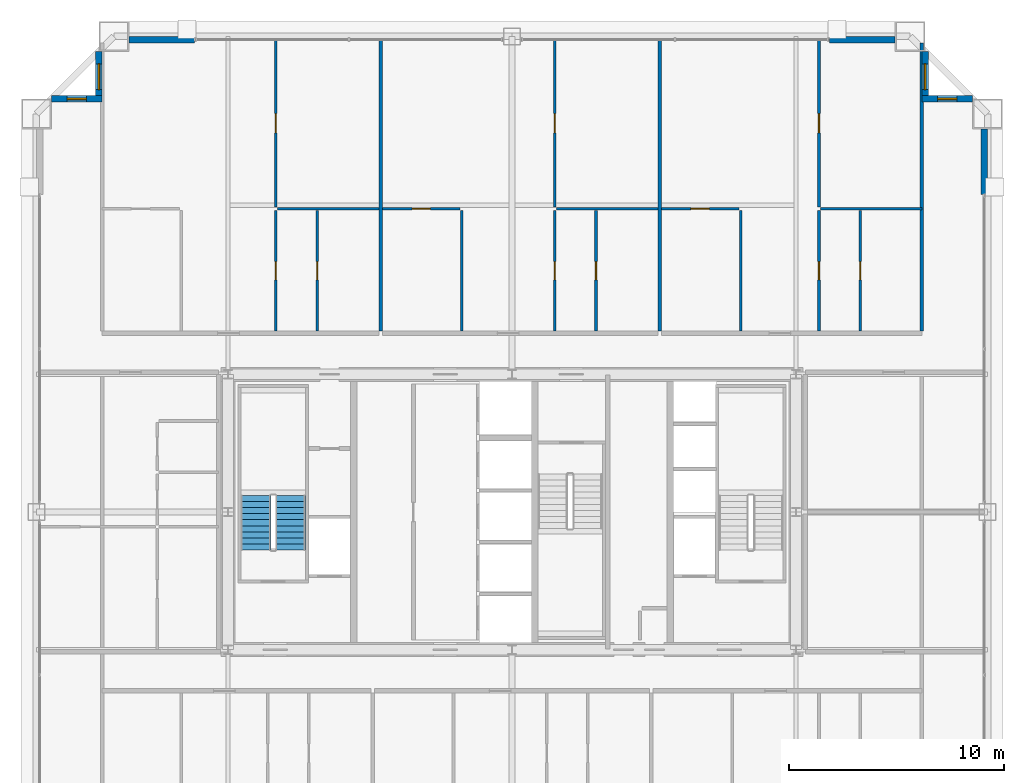
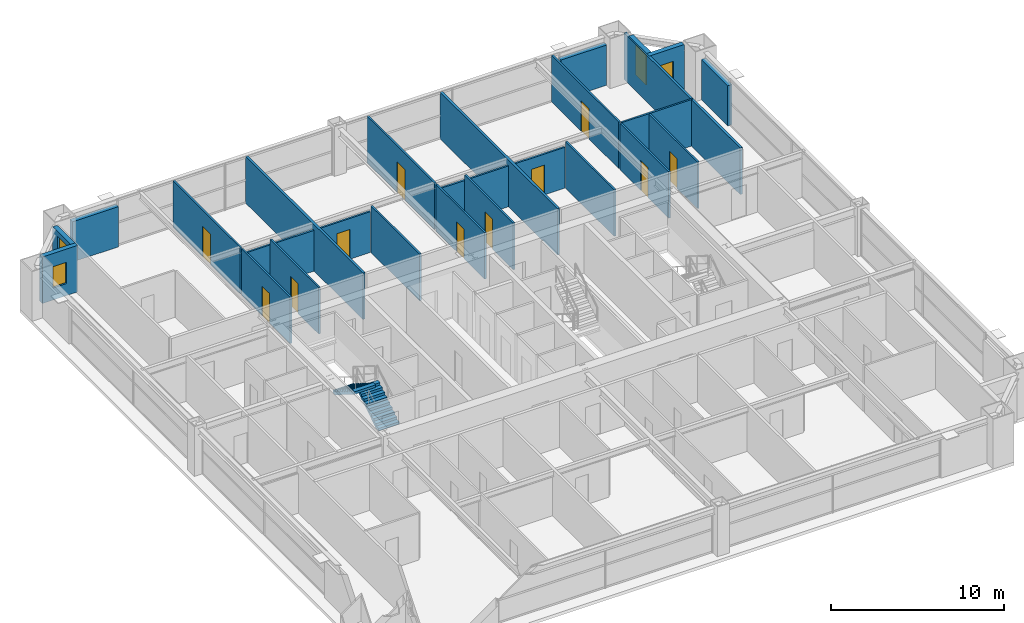
# One storey, part 36 of 38: 26 walls, 11 doors, 4 windows, 2 stair flights, 15 openings, 1 element without a shape of its own.
"""IFC4 building model written with IfcOpenShell, lengths in metres."""

from ifc_helpers import new_model, si_unit, direction, frame, frame_2d, origin, place, context, subcontext, project, spatial, polyline, rectangle, outline, extrude, source, transform, mapped, material, layer, layer_set, type_object, element, fill, aggregate, save


model = new_model("IFC4")

# Units and contexts
model_context = context("Model", 3, precision=1e-05, world=origin(), true_north=direction((0.0, 1.0)))
body_context = subcontext(model_context, "Body", "Model", "MODEL_VIEW")
ifc_project = project(units=[si_unit("LENGTHUNIT", "METRE"), si_unit("AREAUNIT", "SQUARE_METRE"), si_unit("VOLUMEUNIT", "CUBIC_METRE"), si_unit("PLANEANGLEUNIT", "RADIAN"), si_unit("MASSUNIT", "GRAM", prefix="KILO"), si_unit("THERMODYNAMICTEMPERATUREUNIT", "KELVIN"), si_unit("POWERUNIT", "WATT")], contexts=[model_context])

# Site, building, storey
site_placement = place(None, origin())
site = spatial("IfcSite", under=ifc_project, at=site_placement, CompositionType="ELEMENT")
building_placement = place(site_placement, origin())
building = spatial("IfcBuilding", under=site, at=building_placement, Name="Yuzanri Waterfront Tower", CompositionType="ELEMENT")
storey_placement = place(building_placement, frame((0.0, 0.0, 209.0)))
storey = spatial("IfcBuildingStorey", under=building, at=storey_placement, Name="L55", CompositionType="ELEMENT", Elevation=209.0)

# Wall, opening, door
ifc_material_1 = material(Name="Moisture-Resistant Gypsum Stud Wall", Category="gypsum")
ifc_layer_1 = layer(ifc_material_1, 0.1201171875)
ifc_layer_set_1 = layer_set([ifc_layer_1], Name="Moisture-Resistant Gypsum Stud Wall")
wall_type_1 = type_object("IfcWallType", Name="Bathroom and Kitchen Wet Partition 120", PredefinedType="PARTITIONING", material=ifc_layer_set_1)
wall_1_placement = place(storey_placement, frame((27.94091796875, 34.2099609375, 0.0), z_axis=(0.0, 0.0, 1.0), x_axis=(0.0, 1.0, 0.0)))
wall_1 = element("IfcWall", 1, at=wall_1_placement, inside=storey, type_object=wall_type_1, Name="L55 Partition UW-L55-RN1-SUB-2-W", PredefinedType="PARTITIONING", context=body_context, shape_type="SweptSolid", body=[
    extrude(rectangle(XDim=5.610107421875, YDim=0.1201171875, at=frame_2d((2.80517578125, 0.0))), origin(), (0.0, 0.0, 1.0), 3.280029296875),
])
opening_1_placement = place(wall_1_placement, frame((2.3798828125, 0.0, 0.0)))
opening_1 = element("IfcOpeningElement", 2, at=opening_1_placement, cuts=wall_1, Name="Opening ID-0850", PredefinedType="OPENING", context=body_context, shape_type="SweptSolid", body=[
    extrude(rectangle(XDim=0.85009765625, YDim=2.10009765625, at=frame_2d((0.425048828125, 1.050048828125))), frame((0.0, 0.074951171875, 0.0), z_axis=(0.0, -1.0, 0.0), x_axis=(1.0, 0.0, 0.0)), (0.0, 0.0, 1.0), 0.14990234375),
])
ifc_material_2 = material(Name="Moisture-Resistant Lacquered Timber", Category="wood")
door_type_1 = type_object("IfcDoorType", Name="En-Suite Bathroom and Kitchen Swing Door 850x2100", OperationType="NOTDEFINED", PredefinedType="DOOR", material=ifc_material_2)
shared_shape_1 = source(origin(), body_context, "Body", "SweptSolid", [
    extrude(rectangle(XDim=0.85009765625, YDim=2.10009765625, at=frame_2d((0.425048828125, 1.050048828125))), frame((0.0, 0.02490234375, 0.0), z_axis=(0.0, -1.0, 0.0), x_axis=(1.0, 0.0, 0.0)), (0.0, 0.0, 1.0), 0.050048828125),
])
door_1_placement = place(opening_1_placement, origin())
door_1 = element("IfcDoor", 3, at=door_1_placement, inside=storey, type_object=door_type_1, Name="L55 Suite Interior Room Door", OperationType="SINGLE_SWING_LEFT", OverallHeight=2.10009765625, OverallWidth=0.85009765625, PredefinedType="DOOR", context=body_context, shape_type="MappedRepresentation", body=[
    mapped(shared_shape_1, transform((0.0, 0.0, 0.0), scale=1.0)),
])
fill(opening_1, door_1)

wall_2_placement = place(storey_placement, frame((26.029052734375, 39.97998046875, 0.0), z_axis=(0.0, 0.0, 1.0), x_axis=(0.0, 1.0, 0.0)))
wall_2 = element("IfcWall", 4, at=wall_2_placement, inside=storey, type_object=wall_type_1, Name="L55 Partition UW-L55-RN1-SUB-3-W", PredefinedType="PARTITIONING", context=body_context, shape_type="SweptSolid", body=[
    extrude(rectangle(XDim=7.77001953125, YDim=0.1201171875, at=frame_2d((3.885009765625, 0.0))), origin(), (0.0, 0.0, 1.0), 3.280029296875),
])
opening_2_placement = place(wall_2_placement, frame((3.43505859375, 0.0, 0.0)))
opening_2 = element("IfcOpeningElement", 5, at=opening_2_placement, cuts=wall_2, Name="Opening ID-0900", PredefinedType="OPENING", context=body_context, shape_type="SweptSolid", body=[
    extrude(rectangle(XDim=0.89990234375, YDim=2.14990234375, at=frame_2d((0.449951171875, 1.074951171875))), frame((0.0, 0.074951171875, 0.0), z_axis=(0.0, -1.0, 0.0), x_axis=(1.0, 0.0, 0.0)), (0.0, 0.0, 1.0), 0.14990234375),
])
ifc_material_3 = material(Name="Stained Walnut Veneer Timber", Category="wood")
door_type_2 = type_object("IfcDoorType", Name="Bedroom and Study Interior Swing Door 900x2150", OperationType="NOTDEFINED", PredefinedType="DOOR", material=ifc_material_3)
shared_shape_2 = source(origin(), body_context, "Body", "SweptSolid", [
    extrude(rectangle(XDim=0.89990234375, YDim=2.14990234375, at=frame_2d((0.449951171875, 1.074951171875))), frame((0.0, 0.02490234375, 0.0), z_axis=(0.0, -1.0, 0.0), x_axis=(1.0, 0.0, 0.0)), (0.0, 0.0, 1.0), 0.050048828125),
])
door_2_placement = place(opening_2_placement, origin())
door_2 = element("IfcDoor", 6, at=door_2_placement, inside=storey, type_object=door_type_2, Name="L55 Suite Interior Room Door", OperationType="SINGLE_SWING_RIGHT", OverallHeight=2.14990234375, OverallWidth=0.89990234375, PredefinedType="DOOR", context=body_context, shape_type="MappedRepresentation", body=[
    mapped(shared_shape_2, transform((0.0, 0.0, 0.0), scale=1.0)),
])
fill(opening_2, door_2)

wall_3_placement = place(storey_placement, frame((26.029052734375, 34.2099609375, 0.0), z_axis=(0.0, 0.0, 1.0), x_axis=(0.0, 1.0, 0.0)))
wall_3 = element("IfcWall", 7, at=wall_3_placement, inside=storey, type_object=wall_type_1, Name="L55 Partition UW-L55-RN1-SUB-4-W", PredefinedType="PARTITIONING", context=body_context, shape_type="SweptSolid", body=[
    extrude(rectangle(XDim=5.610107421875, YDim=0.1201171875, at=frame_2d((2.80517578125, 0.0))), origin(), (0.0, 0.0, 1.0), 3.280029296875),
])
opening_3_placement = place(wall_3_placement, frame((2.3798828125, 0.0, 0.0)))
opening_3 = element("IfcOpeningElement", 8, at=opening_3_placement, cuts=wall_3, Name="Opening ID-0850", PredefinedType="OPENING", context=body_context, shape_type="SweptSolid", body=[
    extrude(rectangle(XDim=0.85009765625, YDim=2.10009765625, at=frame_2d((0.425048828125, 1.050048828125))), frame((0.0, 0.074951171875, 0.0), z_axis=(0.0, -1.0, 0.0), x_axis=(1.0, 0.0, 0.0)), (0.0, 0.0, 1.0), 0.14990234375),
])
door_3_placement = place(opening_3_placement, origin())
door_3 = element("IfcDoor", 9, at=door_3_placement, inside=storey, type_object=door_type_1, Name="L55 Suite Interior Room Door", OperationType="SINGLE_SWING_LEFT", OverallHeight=2.10009765625, OverallWidth=0.85009765625, PredefinedType="DOOR", context=body_context, shape_type="MappedRepresentation", body=[
    mapped(shared_shape_1, transform((0.0, 0.0, 0.0), scale=1.0)),
])
fill(opening_3, door_3)

wall_4_placement = place(storey_placement, frame((30.98095703125, 39.89990234375, 0.0), z_axis=(0.0, 0.0, 1.0), x_axis=(1.0, 0.0, 0.0)))
wall_4 = element("IfcWall", 10, at=wall_4_placement, inside=storey, type_object=wall_type_1, Name="L55 Partition UW-L55-RN2-SUB-1-N", PredefinedType="PARTITIONING", context=body_context, shape_type="SweptSolid", body=[
    extrude(rectangle(XDim=3.60009765625, YDim=0.1201171875, at=frame_2d((1.800048828125, 0.0))), origin(), (0.0, 0.0, 1.0), 2.875),
])
opening_4_placement = place(wall_4_placement, frame((1.375, 0.0, 0.0)))
opening_4 = element("IfcOpeningElement", 11, at=opening_4_placement, cuts=wall_4, Name="Opening ID-0850", PredefinedType="OPENING", context=body_context, shape_type="SweptSolid", body=[
    extrude(rectangle(XDim=0.85009765625, YDim=2.10009765625, at=frame_2d((0.425048828125, 1.050048828125))), frame((0.0, 0.074951171875, 0.0), z_axis=(0.0, -1.0, 0.0), x_axis=(1.0, 0.0, 0.0)), (0.0, 0.0, 1.0), 0.14990234375),
])
door_4_placement = place(opening_4_placement, origin())
door_4 = element("IfcDoor", 12, at=door_4_placement, inside=storey, type_object=door_type_1, Name="L55 Suite Interior Room Door", OperationType="SINGLE_SWING_LEFT", OverallHeight=2.10009765625, OverallWidth=0.85009765625, PredefinedType="DOOR", context=body_context, shape_type="MappedRepresentation", body=[
    mapped(shared_shape_1, transform((0.0, 0.0, 0.0), scale=1.0)),
])
fill(opening_4, door_4)

wall_5_placement = place(storey_placement, frame((40.902099609375, 34.2099609375, 0.0), z_axis=(0.0, 0.0, 1.0), x_axis=(0.0, 1.0, 0.0)))
wall_5 = element("IfcWall", 13, at=wall_5_placement, inside=storey, type_object=wall_type_1, Name="L55 Partition UW-L55-RN2-SUB-2-W", PredefinedType="PARTITIONING", context=body_context, shape_type="SweptSolid", body=[
    extrude(rectangle(XDim=5.610107421875, YDim=0.1201171875, at=frame_2d((2.80517578125, 0.0))), origin(), (0.0, 0.0, 1.0), 3.280029296875),
])
opening_5_placement = place(wall_5_placement, frame((2.3798828125, 0.0, 0.0)))
opening_5 = element("IfcOpeningElement", 14, at=opening_5_placement, cuts=wall_5, Name="Opening ID-0850", PredefinedType="OPENING", context=body_context, shape_type="SweptSolid", body=[
    extrude(rectangle(XDim=0.85009765625, YDim=2.10009765625, at=frame_2d((0.425048828125, 1.050048828125))), frame((0.0, 0.074951171875, 0.0), z_axis=(0.0, -1.0, 0.0), x_axis=(1.0, 0.0, 0.0)), (0.0, 0.0, 1.0), 0.14990234375),
])
door_5_placement = place(opening_5_placement, origin())
door_5 = element("IfcDoor", 15, at=door_5_placement, inside=storey, type_object=door_type_1, Name="L55 Suite Interior Room Door", OperationType="SINGLE_SWING_RIGHT", OverallHeight=2.10009765625, OverallWidth=0.85009765625, PredefinedType="DOOR", context=body_context, shape_type="MappedRepresentation", body=[
    mapped(shared_shape_1, transform((0.0, 0.0, 0.0), scale=1.0)),
])
fill(opening_5, door_5)

wall_6_placement = place(storey_placement, frame((38.989990234375, 39.97998046875, 0.0), z_axis=(0.0, 0.0, 1.0), x_axis=(0.0, 1.0, 0.0)))
wall_6 = element("IfcWall", 16, at=wall_6_placement, inside=storey, type_object=wall_type_1, Name="L55 Partition UW-L55-RN2-SUB-3-W", PredefinedType="PARTITIONING", context=body_context, shape_type="SweptSolid", body=[
    extrude(rectangle(XDim=7.77001953125, YDim=0.1201171875, at=frame_2d((3.885009765625, 0.0))), origin(), (0.0, 0.0, 1.0), 3.280029296875),
])
opening_6_placement = place(wall_6_placement, frame((3.43505859375, 0.0, 0.0)))
opening_6 = element("IfcOpeningElement", 17, at=opening_6_placement, cuts=wall_6, Name="Opening ID-0900", PredefinedType="OPENING", context=body_context, shape_type="SweptSolid", body=[
    extrude(rectangle(XDim=0.89990234375, YDim=2.14990234375, at=frame_2d((0.449951171875, 1.074951171875))), frame((0.0, 0.074951171875, 0.0), z_axis=(0.0, -1.0, 0.0), x_axis=(1.0, 0.0, 0.0)), (0.0, 0.0, 1.0), 0.14990234375),
])
door_6_placement = place(opening_6_placement, origin())
door_6 = element("IfcDoor", 18, at=door_6_placement, inside=storey, type_object=door_type_2, Name="L55 Suite Interior Room Door", OperationType="SINGLE_SWING_LEFT", OverallHeight=2.14990234375, OverallWidth=0.89990234375, PredefinedType="DOOR", context=body_context, shape_type="MappedRepresentation", body=[
    mapped(shared_shape_2, transform((0.0, 0.0, 0.0), scale=1.0)),
])
fill(opening_6, door_6)

wall_7_placement = place(storey_placement, frame((38.989990234375, 34.2099609375, 0.0), z_axis=(0.0, 0.0, 1.0), x_axis=(0.0, 1.0, 0.0)))
wall_7 = element("IfcWall", 19, at=wall_7_placement, inside=storey, type_object=wall_type_1, Name="L55 Partition UW-L55-RN2-SUB-4-W", PredefinedType="PARTITIONING", context=body_context, shape_type="SweptSolid", body=[
    extrude(rectangle(XDim=5.610107421875, YDim=0.1201171875, at=frame_2d((2.80517578125, 0.0))), origin(), (0.0, 0.0, 1.0), 3.280029296875),
])
opening_7_placement = place(wall_7_placement, frame((2.3798828125, 0.0, 0.0)))
opening_7 = element("IfcOpeningElement", 20, at=opening_7_placement, cuts=wall_7, Name="Opening ID-0850", PredefinedType="OPENING", context=body_context, shape_type="SweptSolid", body=[
    extrude(rectangle(XDim=0.85009765625, YDim=2.10009765625, at=frame_2d((0.425048828125, 1.050048828125))), frame((0.0, 0.074951171875, 0.0), z_axis=(0.0, -1.0, 0.0), x_axis=(1.0, 0.0, 0.0)), (0.0, 0.0, 1.0), 0.14990234375),
])
door_7_placement = place(opening_7_placement, origin())
door_7 = element("IfcDoor", 21, at=door_7_placement, inside=storey, type_object=door_type_1, Name="L55 Suite Interior Room Door", OperationType="SINGLE_SWING_RIGHT", OverallHeight=2.10009765625, OverallWidth=0.85009765625, PredefinedType="DOOR", context=body_context, shape_type="MappedRepresentation", body=[
    mapped(shared_shape_1, transform((0.0, 0.0, 0.0), scale=1.0)),
])
fill(opening_7, door_7)

wall_8_placement = place(storey_placement, frame((43.94189453125, 39.89990234375, 0.0), z_axis=(0.0, 0.0, 1.0), x_axis=(1.0, 0.0, 0.0)))
wall_8 = element("IfcWall", 22, at=wall_8_placement, inside=storey, type_object=wall_type_1, Name="L55 Partition UW-L55-RN3-SUB-1-N", PredefinedType="PARTITIONING", context=body_context, shape_type="SweptSolid", body=[
    extrude(rectangle(XDim=3.60009765625, YDim=0.1201171875, at=frame_2d((1.800048828125, 0.0))), origin(), (0.0, 0.0, 1.0), 2.875),
])
opening_8_placement = place(wall_8_placement, frame((1.375, 0.0, 0.0)))
opening_8 = element("IfcOpeningElement", 23, at=opening_8_placement, cuts=wall_8, Name="Opening ID-0850", PredefinedType="OPENING", context=body_context, shape_type="SweptSolid", body=[
    extrude(rectangle(XDim=0.85009765625, YDim=2.10009765625, at=frame_2d((0.425048828125, 1.050048828125))), frame((0.0, 0.074951171875, 0.0), z_axis=(0.0, -1.0, 0.0), x_axis=(1.0, 0.0, 0.0)), (0.0, 0.0, 1.0), 0.14990234375),
])
door_8_placement = place(opening_8_placement, origin())
door_8 = element("IfcDoor", 24, at=door_8_placement, inside=storey, type_object=door_type_1, Name="L55 Suite Interior Room Door", OperationType="SINGLE_SWING_RIGHT", OverallHeight=2.10009765625, OverallWidth=0.85009765625, PredefinedType="DOOR", context=body_context, shape_type="MappedRepresentation", body=[
    mapped(shared_shape_1, transform((0.0, 0.0, 0.0), scale=1.0)),
])
fill(opening_8, door_8)

wall_9_placement = place(storey_placement, frame((53.179931640625, 34.2099609375, 0.0), z_axis=(0.0, 0.0, 1.0), x_axis=(0.0, 1.0, 0.0)))
wall_9 = element("IfcWall", 25, at=wall_9_placement, inside=storey, type_object=wall_type_1, Name="L55 Partition UW-L55-RN3-SUB-2-W", PredefinedType="PARTITIONING", context=body_context, shape_type="SweptSolid", body=[
    extrude(rectangle(XDim=5.610107421875, YDim=0.1201171875, at=frame_2d((2.80517578125, 0.0))), origin(), (0.0, 0.0, 1.0), 3.280029296875),
])
opening_9_placement = place(wall_9_placement, frame((2.3798828125, 0.0, 0.0)))
opening_9 = element("IfcOpeningElement", 26, at=opening_9_placement, cuts=wall_9, Name="Opening ID-0850", PredefinedType="OPENING", context=body_context, shape_type="SweptSolid", body=[
    extrude(rectangle(XDim=0.85009765625, YDim=2.10009765625, at=frame_2d((0.425048828125, 1.050048828125))), frame((0.0, 0.074951171875, 0.0), z_axis=(0.0, -1.0, 0.0), x_axis=(1.0, 0.0, 0.0)), (0.0, 0.0, 1.0), 0.14990234375),
])
door_9_placement = place(opening_9_placement, origin())
door_9 = element("IfcDoor", 27, at=door_9_placement, inside=storey, type_object=door_type_1, Name="L55 Suite Interior Room Door", OperationType="SINGLE_SWING_LEFT", OverallHeight=2.10009765625, OverallWidth=0.85009765625, PredefinedType="DOOR", context=body_context, shape_type="MappedRepresentation", body=[
    mapped(shared_shape_1, transform((0.0, 0.0, 0.0), scale=1.0)),
])
fill(opening_9, door_9)

wall_10_placement = place(storey_placement, frame((51.26806640625, 39.97998046875, 0.0), z_axis=(0.0, 0.0, 1.0), x_axis=(0.0, 1.0, 0.0)))
wall_10 = element("IfcWall", 28, at=wall_10_placement, inside=storey, type_object=wall_type_1, Name="L55 Partition UW-L55-RN3-SUB-3-W", PredefinedType="PARTITIONING", context=body_context, shape_type="SweptSolid", body=[
    extrude(rectangle(XDim=7.77001953125, YDim=0.1201171875, at=frame_2d((3.885009765625, 0.0))), origin(), (0.0, 0.0, 1.0), 3.280029296875),
])
opening_10_placement = place(wall_10_placement, frame((3.43505859375, 0.0, 0.0)))
opening_10 = element("IfcOpeningElement", 29, at=opening_10_placement, cuts=wall_10, Name="Opening ID-0900", PredefinedType="OPENING", context=body_context, shape_type="SweptSolid", body=[
    extrude(rectangle(XDim=0.89990234375, YDim=2.14990234375, at=frame_2d((0.449951171875, 1.074951171875))), frame((0.0, 0.074951171875, 0.0), z_axis=(0.0, -1.0, 0.0), x_axis=(1.0, 0.0, 0.0)), (0.0, 0.0, 1.0), 0.14990234375),
])
door_10_placement = place(opening_10_placement, origin())
door_10 = element("IfcDoor", 30, at=door_10_placement, inside=storey, type_object=door_type_2, Name="L55 Suite Interior Room Door", OperationType="SINGLE_SWING_RIGHT", OverallHeight=2.14990234375, OverallWidth=0.89990234375, PredefinedType="DOOR", context=body_context, shape_type="MappedRepresentation", body=[
    mapped(shared_shape_2, transform((0.0, 0.0, 0.0), scale=1.0)),
])
fill(opening_10, door_10)

wall_11_placement = place(storey_placement, frame((51.26806640625, 34.2099609375, 0.0), z_axis=(0.0, 0.0, 1.0), x_axis=(0.0, 1.0, 0.0)))
wall_11 = element("IfcWall", 31, at=wall_11_placement, inside=storey, type_object=wall_type_1, Name="L55 Partition UW-L55-RN3-SUB-4-W", PredefinedType="PARTITIONING", context=body_context, shape_type="SweptSolid", body=[
    extrude(rectangle(XDim=5.610107421875, YDim=0.1201171875, at=frame_2d((2.80517578125, 0.0))), origin(), (0.0, 0.0, 1.0), 3.280029296875),
])
opening_11_placement = place(wall_11_placement, frame((2.3798828125, 0.0, 0.0)))
opening_11 = element("IfcOpeningElement", 32, at=opening_11_placement, cuts=wall_11, Name="Opening ID-0850", PredefinedType="OPENING", context=body_context, shape_type="SweptSolid", body=[
    extrude(rectangle(XDim=0.85009765625, YDim=2.10009765625, at=frame_2d((0.425048828125, 1.050048828125))), frame((0.0, 0.074951171875, 0.0), z_axis=(0.0, -1.0, 0.0), x_axis=(1.0, 0.0, 0.0)), (0.0, 0.0, 1.0), 0.14990234375),
])
door_11_placement = place(opening_11_placement, origin())
door_11 = element("IfcDoor", 33, at=door_11_placement, inside=storey, type_object=door_type_1, Name="L55 Suite Interior Room Door", OperationType="SINGLE_SWING_LEFT", OverallHeight=2.10009765625, OverallWidth=0.85009765625, PredefinedType="DOOR", context=body_context, shape_type="MappedRepresentation", body=[
    mapped(shared_shape_1, transform((0.0, 0.0, 0.0), scale=1.0)),
])
fill(opening_11, door_11)

# Wall, opening, window
ifc_material_4 = material(Name="Honed Chongqing Dark Basalt Stone", Category="masonry")
ifc_layer_2 = layer(ifc_material_4, 0.300048828125)
ifc_layer_set_2 = layer_set([ifc_layer_2], Name="Honed Chongqing Dark Basalt Stone")
wall_type_2 = type_object("IfcWallType", Name="Bronze Rainscreen Insulated Spandrel Portal Wall 300", PredefinedType="SOLIDWALL", material=ifc_layer_set_2)
wall_12_placement = place(storey_placement, frame((17.949951171875, 45.0, 0.0), z_axis=(0.0, 0.0, 1.0), x_axis=(-1.0, 0.0, 0.0)))
wall_12 = element("IfcWall", 34, at=wall_12_placement, inside=storey, type_object=wall_type_2, Name="L55 Notched Corner Masonry Wall NW-X", PredefinedType="SOLIDWALL", context=body_context, shape_type="SweptSolid", body=[
    extrude(rectangle(XDim=2.349853515625, YDim=0.300048828125, at=frame_2d((1.1748046875, 0.0))), origin(), (0.0, 0.0, 1.0), 3.280029296875),
])
opening_12_placement = place(wall_12_placement, frame((0.72509765625, 0.0, 0.85009765625)))
opening_12 = element("IfcOpeningElement", 35, at=opening_12_placement, cuts=wall_12, Name="Opening WN-05", PredefinedType="OPENING", context=body_context, shape_type="SweptSolid", body=[
    extrude(rectangle(XDim=0.89990234375, YDim=1.5, at=frame_2d((0.449951171875, 0.75))), frame((0.0, 0.1650390625, 0.0), z_axis=(0.0, -1.0, 0.0), x_axis=(1.0, 0.0, 0.0)), (0.0, 0.0, 1.0), 0.329833984375),
])
ifc_material_5 = material(Name="Double-Silver Low-E Insulated Glass", Category="glass")
window_type_1 = type_object("IfcWindowType", Name="Anodized Bronze Service and Stairwell Smoke-Vent Window 900x1500", PartitioningType="SINGLE_PANEL", PredefinedType="WINDOW", material=ifc_material_5)
shared_shape_3 = source(origin(), body_context, "Body", "SweptSolid", [
    extrude(rectangle(XDim=0.89990234375, YDim=1.5, at=frame_2d((0.449951171875, 0.75))), frame((0.0, 0.030029296875, 0.0), z_axis=(0.0, -1.0, 0.0), x_axis=(1.0, 0.0, 0.0)), (0.0, 0.0, 1.0), 0.06005859375),
])
window_1_placement = place(opening_12_placement, origin())
window_1 = element("IfcWindow", 36, at=window_1_placement, inside=storey, type_object=window_type_1, Name="L55 Notched Corner Window NW-X", OverallHeight=1.5, OverallWidth=0.89990234375, PartitioningType="SINGLE_PANEL", PredefinedType="WINDOW", context=body_context, shape_type="MappedRepresentation", body=[
    mapped(shared_shape_3, transform((0.0, 0.0, 0.0), scale=1.0)),
])
fill(opening_12, window_1)

wall_13_placement = place(storey_placement, frame((17.800048828125, 47.199951171875, 0.0), z_axis=(0.0, 0.0, 1.0), x_axis=(0.0, -1.0, 0.0)))
wall_13 = element("IfcWall", 37, at=wall_13_placement, inside=storey, type_object=wall_type_2, Name="L55 Notched Corner Masonry Wall NW-Y", PredefinedType="SOLIDWALL", context=body_context, shape_type="SweptSolid", body=[
    extrude(rectangle(XDim=2.349853515625, YDim=0.300048828125, at=frame_2d((1.1748046875, 0.0))), origin(), (0.0, 0.0, 1.0), 3.280029296875),
])
opening_13_placement = place(wall_13_placement, frame((0.574951171875, 0.0, 0.85009765625)))
opening_13 = element("IfcOpeningElement", 38, at=opening_13_placement, cuts=wall_13, Name="Opening WN-02", PredefinedType="OPENING", context=body_context, shape_type="SweptSolid", body=[
    extrude(rectangle(XDim=1.199951171875, YDim=2.10009765625, at=frame_2d((0.60009765625, 1.050048828125))), frame((0.0, 0.1650390625, 0.0), z_axis=(0.0, -1.0, 0.0), x_axis=(1.0, 0.0, 0.0)), (0.0, 0.0, 1.0), 0.329833984375),
])
ifc_material_6 = material(Name="Double-Silver Low-E Insulated Glass", Category="glass")
window_type_2 = type_object("IfcWindowType", Name="Anodized Bronze Notched Corner Deep-Set Slot Window 1200x2100", PartitioningType="SINGLE_PANEL", PredefinedType="WINDOW", material=ifc_material_6)
shared_shape_4 = source(origin(), body_context, "Body", "SweptSolid", [
    extrude(rectangle(XDim=1.199951171875, YDim=2.10009765625, at=frame_2d((0.60009765625, 1.050048828125))), frame((0.0, 0.030029296875, 0.0), z_axis=(0.0, -1.0, 0.0), x_axis=(1.0, 0.0, 0.0)), (0.0, 0.0, 1.0), 0.06005859375),
])
window_2_placement = place(opening_13_placement, origin())
window_2 = element("IfcWindow", 39, at=window_2_placement, inside=storey, type_object=window_type_2, Name="L55 Notched Corner Window NW-Y", OverallHeight=2.10009765625, OverallWidth=1.199951171875, PartitioningType="SINGLE_PANEL", PredefinedType="WINDOW", context=body_context, shape_type="MappedRepresentation", body=[
    mapped(shared_shape_4, transform((0.0, 0.0, 0.0), scale=1.0)),
])
fill(opening_13, window_2)

wall_14_placement = place(storey_placement, frame((58.39990234375, 45.0, 0.0), z_axis=(0.0, 0.0, 1.0), x_axis=(-1.0, 0.0, 0.0)))
wall_14 = element("IfcWall", 40, at=wall_14_placement, inside=storey, type_object=wall_type_2, Name="L55 Notched Corner Masonry Wall NE-X", PredefinedType="SOLIDWALL", context=body_context, shape_type="SweptSolid", body=[
    extrude(rectangle(XDim=2.349853515625, YDim=0.300048828125, at=frame_2d((1.1748046875, 0.0))), origin(), (0.0, 0.0, 1.0), 3.280029296875),
])
opening_14_placement = place(wall_14_placement, frame((0.72509765625, 0.0, 0.85009765625)))
opening_14 = element("IfcOpeningElement", 41, at=opening_14_placement, cuts=wall_14, Name="Opening WN-05", PredefinedType="OPENING", context=body_context, shape_type="SweptSolid", body=[
    extrude(rectangle(XDim=0.89990234375, YDim=1.5, at=frame_2d((0.449951171875, 0.75))), frame((0.0, 0.1650390625, 0.0), z_axis=(0.0, -1.0, 0.0), x_axis=(1.0, 0.0, 0.0)), (0.0, 0.0, 1.0), 0.329833984375),
])
window_3_placement = place(opening_14_placement, origin())
window_3 = element("IfcWindow", 42, at=window_3_placement, inside=storey, type_object=window_type_1, Name="L55 Notched Corner Window NE-X", OverallHeight=1.5, OverallWidth=0.89990234375, PartitioningType="SINGLE_PANEL", PredefinedType="WINDOW", context=body_context, shape_type="MappedRepresentation", body=[
    mapped(shared_shape_3, transform((0.0, 0.0, 0.0), scale=1.0)),
])
fill(opening_14, window_3)

wall_15_placement = place(storey_placement, frame((56.199951171875, 44.85009765625, 0.0), z_axis=(0.0, 0.0, 1.0), x_axis=(0.0, 1.0, 0.0)))
wall_15 = element("IfcWall", 43, at=wall_15_placement, inside=storey, type_object=wall_type_2, Name="L55 Notched Corner Masonry Wall NE-Y", PredefinedType="SOLIDWALL", context=body_context, shape_type="SweptSolid", body=[
    extrude(rectangle(XDim=2.349853515625, YDim=0.300048828125, at=frame_2d((1.1748046875, 0.0))), origin(), (0.0, 0.0, 1.0), 3.280029296875),
])
opening_15_placement = place(wall_15_placement, frame((0.574951171875, 0.0, 0.85009765625)))
opening_15 = element("IfcOpeningElement", 44, at=opening_15_placement, cuts=wall_15, Name="Opening WN-02", PredefinedType="OPENING", context=body_context, shape_type="SweptSolid", body=[
    extrude(rectangle(XDim=1.199951171875, YDim=2.10009765625, at=frame_2d((0.60009765625, 1.050048828125))), frame((0.0, 0.1650390625, 0.0), z_axis=(0.0, -1.0, 0.0), x_axis=(1.0, 0.0, 0.0)), (0.0, 0.0, 1.0), 0.329833984375),
])
window_4_placement = place(opening_15_placement, origin())
window_4 = element("IfcWindow", 45, at=window_4_placement, inside=storey, type_object=window_type_2, Name="L55 Notched Corner Window NE-Y", OverallHeight=2.10009765625, OverallWidth=1.199951171875, PartitioningType="SINGLE_PANEL", PredefinedType="WINDOW", context=body_context, shape_type="MappedRepresentation", body=[
    mapped(shared_shape_4, transform((0.0, 0.0, 0.0), scale=1.0)),
])
fill(opening_15, window_4)

# Walls
shared_shape_5 = source(origin(), body_context, "Body", "SweptSolid", [
    extrude(rectangle(XDim=3.050048828125, YDim=0.300048828125, at=frame_2d((1.52490234375, 0.0))), origin(), (0.0, 0.0, 1.0), 2.8349609375),
])
for number, where, z_axis, x_axis, name in (
    (46, (19.199951171875, 47.75, 0.0), (0.0, 0.0, 1.0), (1.0, 0.0, 0.0), "L55 N Left Braced Masonry Shoulder"),
    (47, (51.75, 47.75, 0.0), (0.0, 0.0, 1.0), (1.0, 0.0, 0.0), "L55 N Right Braced Masonry Shoulder"),
    (48, (58.949951171875, 40.550048828125, 0.0), (0.0, 0.0, 1.0), (0.0, 1.0, 0.0), "L55 E Right Braced Masonry Shoulder"),
):
    element("IfcWall", number, at=place(storey_placement, frame(where, z_axis=z_axis, x_axis=x_axis)), inside=storey, type_object=wall_type_2, Name=name, PredefinedType="SOLIDWALL", context=body_context, shape_type="MappedRepresentation", body=[
        mapped(shared_shape_5, transform((0.0, 0.0, 0.0), scale=1.0)),
    ])
ifc_material_7 = material(Name="Gypsum Fireboard Acoustic Stud Wall", Category="gypsum")
ifc_layer_3 = layer(ifc_material_7, 0.159912109375)
ifc_layer_set_3 = layer_set([ifc_layer_3], Name="Gypsum Fireboard Acoustic Stud Wall")
wall_type_3 = type_object("IfcWallType", Name="Acoustic Suite Demising Partition 160", PredefinedType="PARTITIONING", material=ifc_layer_set_3)
shared_shape_6 = source(origin(), body_context, "Body", "SweptSolid", [
    extrude(rectangle(XDim=13.5400390625, YDim=0.159912109375, at=frame_2d((6.77001953125, 0.0))), origin(), (0.0, 0.0, 1.0), 3.280029296875),
])
for number, where, z_axis, x_axis, name in (
    (49, (30.90087890625, 34.2099609375, 0.0), (0.0, 0.0, 1.0), (0.0, 1.0, 0.0), "L55-RN1 Party Wall"),
    (50, (43.862060546875, 34.2099609375, 0.0), (0.0, 0.0, 1.0), (0.0, 1.0, 0.0), "L55-RN2 Party Wall"),
):
    element("IfcWall", number, at=place(storey_placement, frame(where, z_axis=z_axis, x_axis=x_axis)), inside=storey, type_object=wall_type_3, Name=name, PredefinedType="PARTITIONING", context=body_context, shape_type="MappedRepresentation", body=[
        mapped(shared_shape_6, transform((0.0, 0.0, 0.0), scale=1.0)),
    ])
shared_shape_7 = source(origin(), body_context, "Body", "SweptSolid", [
    extrude(rectangle(XDim=13.39013671875, YDim=0.159912109375, at=frame_2d((6.695068359375, 0.0))), origin(), (0.0, 0.0, 1.0), 3.280029296875),
])
wall_16_placement = place(storey_placement, frame((56.050048828125, 34.2099609375, 0.0), z_axis=(0.0, 0.0, 1.0), x_axis=(0.0, 1.0, 0.0)))
element("IfcWall", 51, at=wall_16_placement, inside=storey, type_object=wall_type_3, Name="L55 North Band East End Wall", PredefinedType="PARTITIONING", context=body_context, shape_type="MappedRepresentation", body=[
    mapped(shared_shape_7, transform((0.0, 0.0, 0.0), scale=1.0)),
])
shared_shape_8 = source(origin(), body_context, "Body", "SweptSolid", [
    extrude(rectangle(XDim=5.610107421875, YDim=0.1201171875, at=frame_2d((2.80517578125, 0.0))), origin(), (0.0, 0.0, 1.0), 3.280029296875),
])
for number, where, z_axis, x_axis, name in (
    (52, (34.660888671875, 34.2099609375, 0.0), (0.0, 0.0, 1.0), (0.0, 1.0, 0.0), "L55 Partition UW-L55-RN2-SUB-1-E"),
    (53, (47.6220703125, 34.2099609375, 0.0), (0.0, 0.0, 1.0), (0.0, 1.0, 0.0), "L55 Partition UW-L55-RN3-SUB-1-E"),
):
    element("IfcWall", number, at=place(storey_placement, frame(where, z_axis=z_axis, x_axis=x_axis)), inside=storey, type_object=wall_type_1, Name=name, PredefinedType="PARTITIONING", context=body_context, shape_type="MappedRepresentation", body=[
        mapped(shared_shape_8, transform((0.0, 0.0, 0.0), scale=1.0)),
    ])
shared_shape_9 = source(origin(), body_context, "Body", "SweptSolid", [
    extrude(rectangle(XDim=4.7119140625, YDim=0.1201171875, at=frame_2d((2.35595703125, 0.0))), origin(), (0.0, 0.0, 1.0), 2.875),
])
wall_17_placement = place(storey_placement, frame((39.070068359375, 39.89990234375, 0.0), z_axis=(0.0, 0.0, 1.0), x_axis=(1.0, 0.0, 0.0)))
element("IfcWall", 54, at=wall_17_placement, inside=storey, type_object=wall_type_1, Name="L55 Partition UW-L55-RN2-SUB-3-S", PredefinedType="PARTITIONING", context=body_context, shape_type="MappedRepresentation", body=[
    mapped(shared_shape_9, transform((0.0, 0.0, 0.0), scale=1.0)),
])
shared_shape_10 = source(origin(), body_context, "Body", "SweptSolid", [
    extrude(rectangle(XDim=4.712158203125, YDim=0.1201171875, at=frame_2d((2.35595703125, 0.0))), origin(), (0.0, 0.0, 1.0), 3.280029296875),
])
wall_18_placement = place(storey_placement, frame((51.347900390625, 39.89990234375, 0.0), z_axis=(0.0, 0.0, 1.0), x_axis=(1.0, 0.0, 0.0)))
element("IfcWall", 55, at=wall_18_placement, inside=storey, type_object=wall_type_1, Name="L55 Partition UW-L55-RN3-SUB-3-S", PredefinedType="PARTITIONING", context=body_context, shape_type="MappedRepresentation", body=[
    mapped(shared_shape_10, transform((0.0, 0.0, 0.0), scale=1.0)),
])
shared_shape_11 = source(origin(), body_context, "Body", "SweptSolid", [
    extrude(rectangle(XDim=4.712158203125, YDim=0.1201171875, at=frame_2d((2.35595703125, 0.0))), origin(), (0.0, 0.0, 1.0), 2.875),
])
wall_19_placement = place(storey_placement, frame((26.10888671875, 39.89990234375, 0.0), z_axis=(0.0, 0.0, 1.0), x_axis=(1.0, 0.0, 0.0)))
element("IfcWall", 56, at=wall_19_placement, inside=storey, type_object=wall_type_1, Name="L55 Partition UW-L55-RN1-SUB-3-S", PredefinedType="PARTITIONING", context=body_context, shape_type="MappedRepresentation", body=[
    mapped(shared_shape_11, transform((0.0, 0.0, 0.0), scale=1.0)),
])

# Stair, stair flights
ifc_material_8 = material(Name="Concrete C40", Category="concrete")
stair_type = type_object("IfcStairType", Name="Concrete C40 Core Dogleg Exit Stair", PredefinedType="HALF_TURN_STAIR", material=ifc_material_8)
stair_placement = place(storey_placement, origin())
stair = element("IfcStair", 57, at=stair_placement, inside=storey, type_object=stair_type, Name="L55 Smoke-Proof Core Stair ST-01", PredefinedType="HALF_TURN_STAIR")
ifc_material_9 = material(Name="Concrete C40", Category="concrete")
stair_flight_type = type_object("IfcStairFlightType", Name="Concrete C40 Precast Stair Flight 1380", PredefinedType="STRAIGHT", material=ifc_material_9)
shared_shape_12 = source(origin(), body_context, "Body", "SweptSolid", [
    extrude(outline(polyline([(0.0, 0.0), (0.0, 0.175048828125), (0.280029296875, 0.175048828125), (0.280029296875, 0.35009765625), (0.56005859375, 0.35009765625), (0.56005859375, 0.52490234375), (0.840087890625, 0.52490234375), (0.840087890625, 0.699951171875), (1.1201171875, 0.699951171875), (1.1201171875, 0.875), (1.39990234375, 0.875), (1.39990234375, 1.050048828125), (1.679931640625, 1.050048828125), (1.679931640625, 1.22509765625), (1.9599609375, 1.22509765625), (1.9599609375, 1.39990234375), (2.239990234375, 1.39990234375), (2.239990234375, 1.574951171875), (2.52001953125, 1.574951171875), (2.52001953125, 1.75), (2.52001953125, 1.398193359375), (0.28271484375, 0.0), (0.0, 0.0)])), frame((0.0, 0.699951171875, 0.0), z_axis=(0.0, -1.0, 0.0), x_axis=(1.0, 0.0, 0.0)), (0.0, 0.0, 1.0), 1.39990234375),
])
stair_flight_1_placement = place(storey_placement, frame((26.699951171875, 24.0400390625, 0.0), z_axis=(0.0, 0.0, 1.0), x_axis=(0.0, 1.0, 0.0)))
stair_flight_1 = element("IfcStairFlight", 58, at=stair_flight_1_placement, type_object=stair_flight_type, Name="ST-01 flight 1", NumberOfRisers=10, NumberOfTreads=9, PredefinedType="STRAIGHT", RiserHeight=0.175, TreadLength=0.28, context=body_context, shape_type="MappedRepresentation", body=[
    mapped(shared_shape_12, transform((0.0, 0.0, 0.0), scale=1.0)),
])
stair_flight_2_placement = place(storey_placement, frame((25.10009765625, 26.56005859375, 1.75), z_axis=(0.0, 0.0, 1.0), x_axis=(0.0, -1.0, 0.0)))
stair_flight_2 = element("IfcStairFlight", 59, at=stair_flight_2_placement, type_object=stair_flight_type, Name="ST-01 flight 2", NumberOfRisers=10, NumberOfTreads=9, PredefinedType="STRAIGHT", RiserHeight=0.175, TreadLength=0.28, context=body_context, shape_type="MappedRepresentation", body=[
    mapped(shared_shape_12, transform((0.0, 0.0, 0.0), scale=1.0)),
])
aggregate(stair, [stair_flight_1, stair_flight_2])

save(model, "model.ifc")
